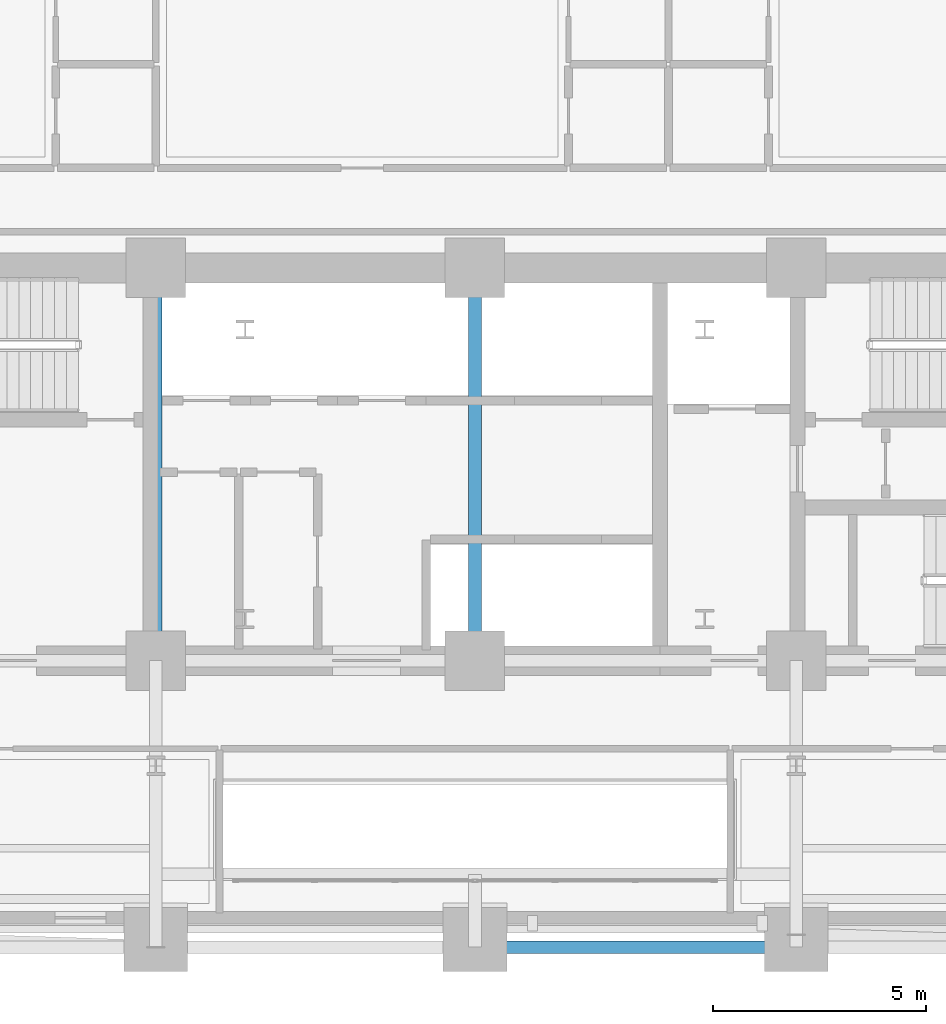
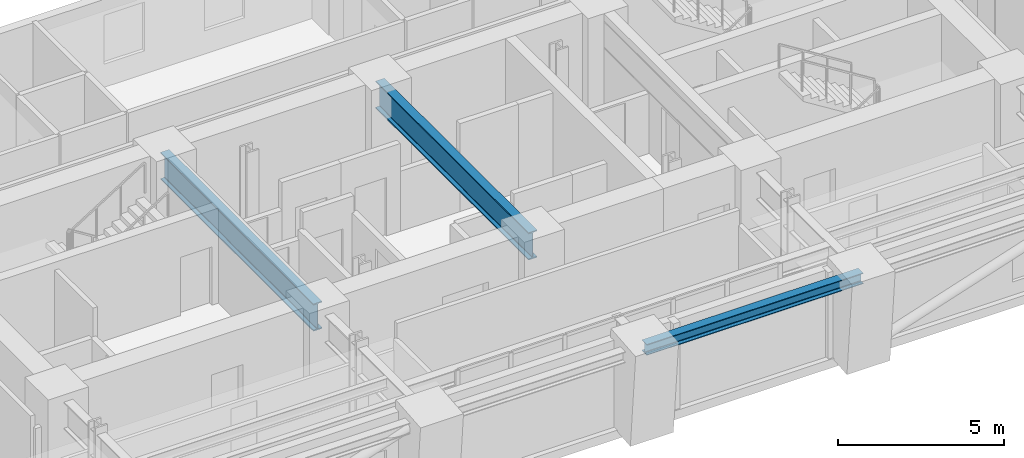
# One storey, part 4 of 16: 3 beams.
"""IFC4 building model written with IfcOpenShell, lengths in metres."""

from ifc_helpers import new_model, si_unit, direction, frame, origin, origin_2d, place, context, subcontext, project, spatial, i_section, extrude, material, material_profile, profile_set, type_object, element, save


model = new_model("IFC4")

# Units and contexts
model_context = context("Model", 3, precision=1e-05, world=origin(), true_north=direction((0.0, 1.0)))
body_context = subcontext(model_context, "Body", "Model", "MODEL_VIEW")
ifc_project = project(units=[si_unit("LENGTHUNIT", "METRE"), si_unit("AREAUNIT", "SQUARE_METRE"), si_unit("VOLUMEUNIT", "CUBIC_METRE"), si_unit("PLANEANGLEUNIT", "RADIAN"), si_unit("MASSUNIT", "GRAM", prefix="KILO")], contexts=[model_context])

# Site, building, storey
site_placement = place(None, origin())
site = spatial("IfcSite", under=ifc_project, at=site_placement, CompositionType="ELEMENT")
building_placement = place(site_placement, origin())
building = spatial("IfcBuilding", under=site, at=building_placement, Name="Zarnavel Station Tower", CompositionType="ELEMENT")
storey_placement = place(building_placement, frame((0.0, 0.0, 53.5)))
storey = spatial("IfcBuildingStorey", under=building, at=storey_placement, Name="L14", CompositionType="ELEMENT", Elevation=53.5)

# Beams
ifc_material_1 = material(Name="Steel S355J2", Category="steel")
ifc_material_profile_1 = material_profile(ifc_material_1, i_section(OverallWidth=0.300048828125, OverallDepth=0.39990234375, WebThickness=0.013427734375, FlangeThickness=0.02392578125, FilletRadius=0.027099609375, at=origin_2d()), Name="HEB400")
ifc_profile_set_1 = profile_set([ifc_material_profile_1], Name="Steel S355J2")
beam_type_1 = type_object("IfcBeamType", Name="EB_HEB400", PredefinedType="SPANDREL", material=ifc_profile_set_1)
beam_placement = place(storey_placement, frame((28.800048828125, 21.086181640625, 3.0400390625), z_axis=(1.0, 0.0, 0.0), x_axis=(0.0, 1.0, 0.0)))
element("IfcBeam", 1, at=beam_placement, inside=storey, type_object=beam_type_1, Name="L14 South Raked Spandrel 3", PredefinedType="SPANDREL", context=body_context, shape_type="SweptSolid", body=[
    extrude(i_section(OverallWidth=0.300048828125, OverallDepth=0.39990234375, WebThickness=0.013427734375, FlangeThickness=0.02392578125, FilletRadius=0.027099609375, at=origin_2d()), origin(), (0.0, 0.0, 1.0), 7.550048828125),
])
ifc_material_2 = material(Name="Steel S460M", Category="steel")
ifc_material_profile_2 = material_profile(ifc_material_2, i_section(OverallWidth=0.302001953125, OverallDepth=1.008056640625, WebThickness=0.02099609375, FlangeThickness=0.0400390625, FilletRadius=0.030029296875, at=origin_2d()), Name="HEM1000")
ifc_profile_set_2 = profile_set([ifc_material_profile_2], Name="Steel S460M")
beam_type_2 = type_object("IfcBeamType", Name="TG_HEM1000", PredefinedType="USERDEFINED", material=ifc_profile_set_2)
for number, where, z_axis, x_axis, name in (
    (2, (21.300048828125, 27.820068359375, 2.736083984375), (0.0, 1.0, 0.0), (-1.0, 0.0, 0.0), "L14 Core Spine Coupling Girder 2"),
    (3, (28.800048828125, 27.820068359375, 2.736083984375), (0.0, 1.0, 0.0), (-1.0, 0.0, 0.0), "L14 Core Spine Coupling Girder 3"),
):
    element("IfcBeam", number, at=place(storey_placement, frame(where, z_axis=z_axis, x_axis=x_axis)), inside=storey, type_object=beam_type_2, Name=name, ObjectType="GIRDER", PredefinedType="USERDEFINED", context=body_context, shape_type="SweptSolid", body=[
        extrude(i_section(OverallWidth=0.302001953125, OverallDepth=1.008056640625, WebThickness=0.02099609375, FlangeThickness=0.0400390625, FilletRadius=0.030029296875, at=origin_2d()), origin(), (0.0, 0.0, 1.0), 9.22998046875),
    ])

save(model, "model.ifc")
